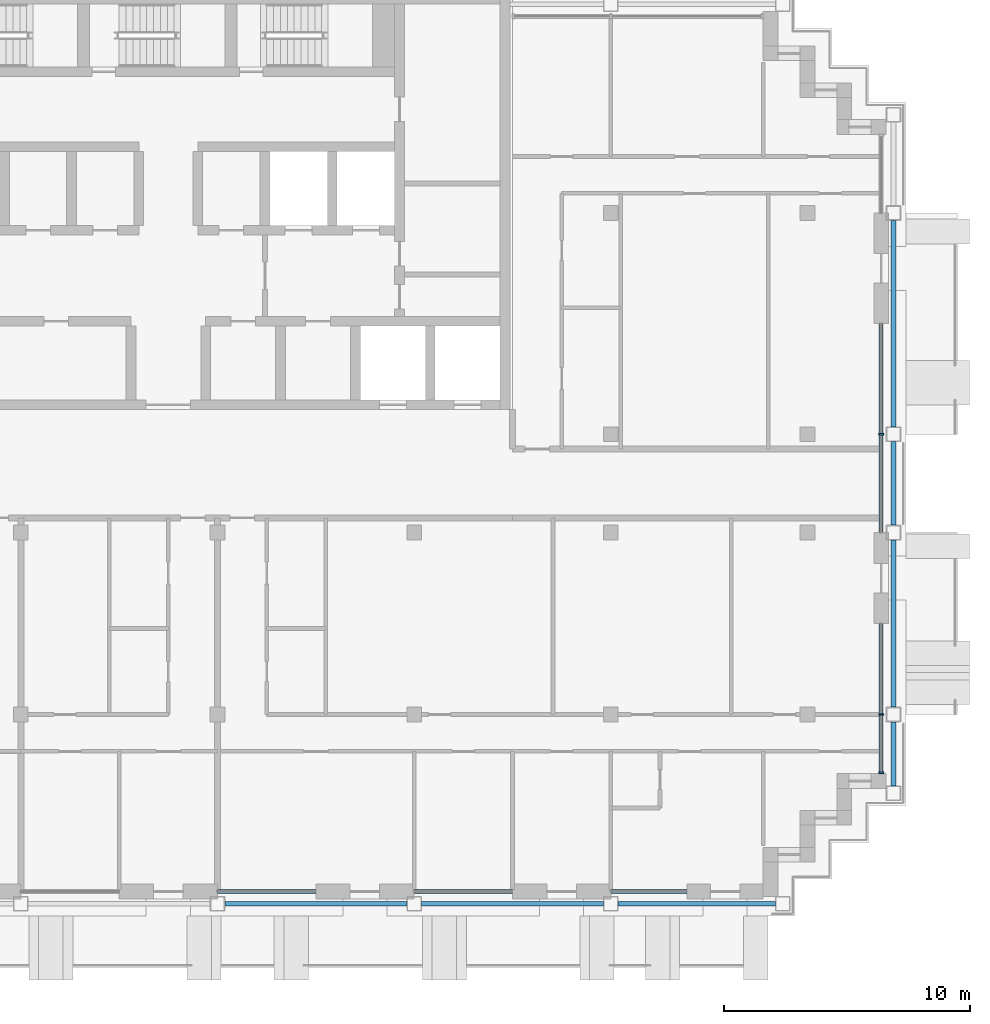
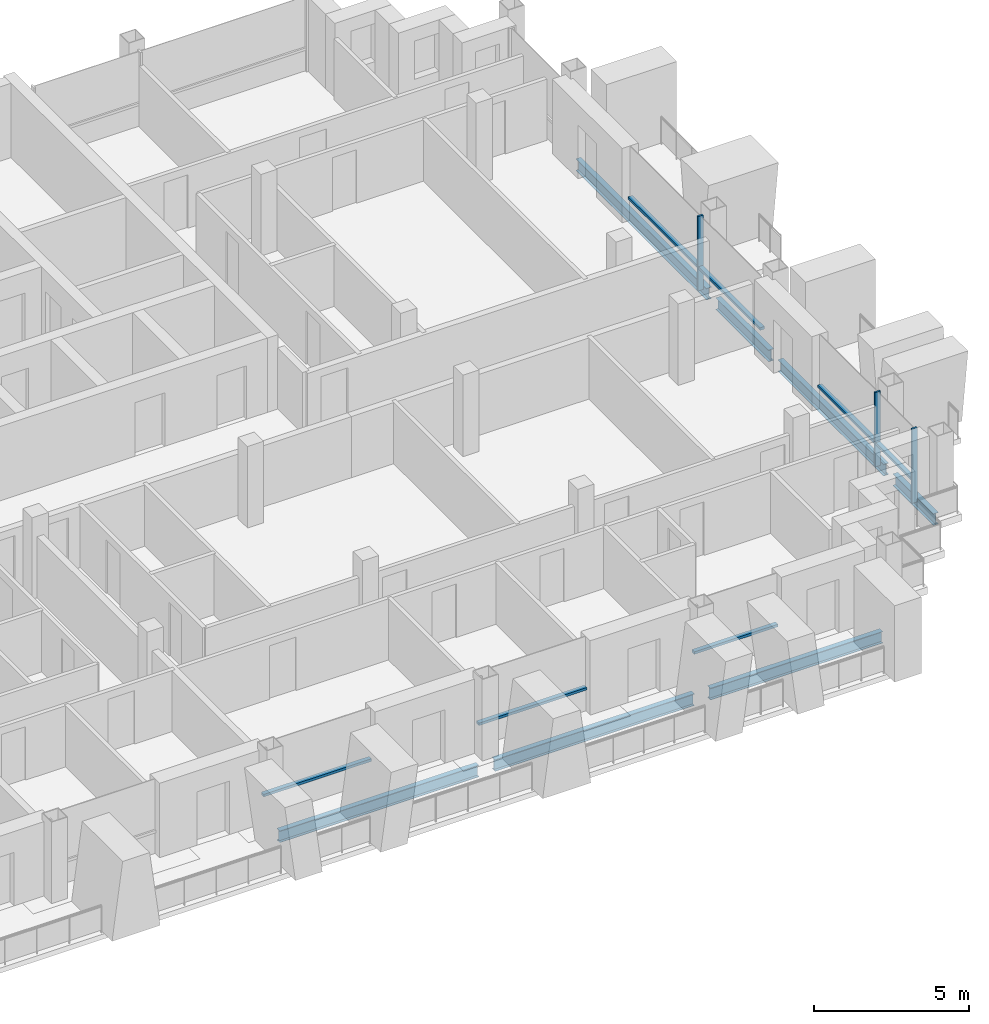
# One storey, part 3 of 16: 10 members, 7 beams, 5 elements without a shape of their own.
"""IFC4 building model written with IfcOpenShell, lengths in metres."""

from ifc_helpers import new_model, si_unit, direction, frame, origin, origin_2d, place, context, subcontext, project, spatial, rectangle, i_section, extrude, material, material_profile, profile_set, type_object, element, aggregate, save


model = new_model("IFC4")

# Units and contexts
model_context = context("Model", 3, precision=1e-05, world=origin(), true_north=direction((0.0, 1.0)))
body_context = subcontext(model_context, "Body", "Model", "MODEL_VIEW")
ifc_project = project(units=[si_unit("LENGTHUNIT", "METRE"), si_unit("AREAUNIT", "SQUARE_METRE"), si_unit("VOLUMEUNIT", "CUBIC_METRE"), si_unit("PLANEANGLEUNIT", "RADIAN"), si_unit("MASSUNIT", "GRAM", prefix="KILO")], contexts=[model_context])

# Site, building, storey
site_placement = place(None, origin())
site = spatial("IfcSite", under=ifc_project, at=site_placement, CompositionType="ELEMENT")
building_placement = place(site_placement, origin())
building = spatial("IfcBuilding", under=site, at=building_placement, Name="Vidyagriha Tower", CompositionType="ELEMENT")
storey_placement = place(building_placement, frame((0.0, 0.0, 220.39990234375)))
storey = spatial("IfcBuildingStorey", under=building, at=storey_placement, Name="L57", CompositionType="ELEMENT", Elevation=220.39990234375)

# Beams
ifc_material_1 = material(Name="Steel ASTM A992 Grade 50", Category="steel")
ifc_material_profile_1 = material_profile(ifc_material_1, i_section(OverallWidth=0.19189453125, OverallDepth=0.46240234375, WebThickness=0.010498046875, FlangeThickness=0.017578125, at=origin_2d()), Name="W18X60")
ifc_profile_set_1 = profile_set([ifc_material_profile_1], Name="Steel ASTM A992 Grade 50")
beam_type = type_object("IfcBeamType", Name="Edge beam W18X60", PredefinedType="SPANDREL", material=ifc_profile_set_1)
for number, where, z_axis, x_axis, name in (
    (1, (2.300048828125, -17.10009765625, -0.510986328125), (1.0, 0.0, 0.0), (0.0, 1.0, 0.0), "st-beam-L57-S05"),
    (2, (10.300048828125, -17.10009765625, -0.510986328125), (1.0, 0.0, 0.0), (0.0, 1.0, 0.0), "st-beam-L57-S06"),
):
    element("IfcBeam", number, at=place(storey_placement, frame(where, z_axis=z_axis, x_axis=x_axis)), inside=storey, type_object=beam_type, Name=name, PredefinedType="SPANDREL", context=body_context, shape_type="SweptSolid", body=[
        extrude(i_section(OverallWidth=0.19189453125, OverallDepth=0.46240234375, WebThickness=0.010498046875, FlangeThickness=0.017578125, at=origin_2d()), origin(), (0.0, 0.0, 1.0), 7.39990234375),
    ])
beam_1_placement = place(storey_placement, frame((18.300048828125, -17.10009765625, -0.510986328125), z_axis=(1.0, 0.0, 0.0), x_axis=(0.0, 1.0, 0.0)))
element("IfcBeam", 3, at=beam_1_placement, inside=storey, type_object=beam_type, Name="st-beam-L57-S07", PredefinedType="SPANDREL", context=body_context, shape_type="SweptSolid", body=[
    extrude(i_section(OverallWidth=0.19189453125, OverallDepth=0.46240234375, WebThickness=0.010498046875, FlangeThickness=0.017578125, at=origin_2d()), origin(), (0.0, 0.0, 1.0), 6.39990234375),
])
beam_2_placement = place(storey_placement, frame((29.5, -12.300048828125, -0.510986328125), z_axis=(0.0, 1.0, 0.0), x_axis=(-1.0, 0.0, 0.0)))
element("IfcBeam", 4, at=beam_2_placement, inside=storey, type_object=beam_type, Name="st-beam-L57-E13", PredefinedType="SPANDREL", context=body_context, shape_type="SweptSolid", body=[
    extrude(i_section(OverallWidth=0.19189453125, OverallDepth=0.46240234375, WebThickness=0.010498046875, FlangeThickness=0.017578125, at=origin_2d()), origin(), (0.0, 0.0, 1.0), 2.60009765625),
])
beam_3_placement = place(storey_placement, frame((29.5, -9.10009765625, -0.510986328125), z_axis=(0.0, 1.0, 0.0), x_axis=(-1.0, 0.0, 0.0)))
element("IfcBeam", 5, at=beam_3_placement, inside=storey, type_object=beam_type, Name="st-beam-L57-E14", PredefinedType="SPANDREL", context=body_context, shape_type="SweptSolid", body=[
    extrude(i_section(OverallWidth=0.19189453125, OverallDepth=0.46240234375, WebThickness=0.010498046875, FlangeThickness=0.017578125, at=origin_2d()), origin(), (0.0, 0.0, 1.0), 6.800048828125),
])
beam_4_placement = place(storey_placement, frame((29.5, -1.699951171875, -0.510986328125), z_axis=(0.0, 1.0, 0.0), x_axis=(-1.0, 0.0, 0.0)))
element("IfcBeam", 6, at=beam_4_placement, inside=storey, type_object=beam_type, Name="st-beam-L57-E15", PredefinedType="SPANDREL", context=body_context, shape_type="SweptSolid", body=[
    extrude(i_section(OverallWidth=0.19189453125, OverallDepth=0.46240234375, WebThickness=0.010498046875, FlangeThickness=0.017578125, at=origin_2d()), origin(), (0.0, 0.0, 1.0), 3.39990234375),
])
beam_5_placement = place(storey_placement, frame((29.5, 2.300048828125, -0.510986328125), z_axis=(0.0, 1.0, 0.0), x_axis=(-1.0, 0.0, 0.0)))
element("IfcBeam", 7, at=beam_5_placement, inside=storey, type_object=beam_type, Name="st-beam-L57-E16", PredefinedType="SPANDREL", context=body_context, shape_type="SweptSolid", body=[
    extrude(i_section(OverallWidth=0.19189453125, OverallDepth=0.46240234375, WebThickness=0.010498046875, FlangeThickness=0.017578125, at=origin_2d()), origin(), (0.0, 0.0, 1.0), 8.39990234375),
])

# Curtain wall, members
ifc_material_2 = material(Name="Aluminium and glass curtain wall", Category="aluminium")
curtain_wall_type = type_object("IfcCurtainWallType", Name="Dwelling skin unitised curtain wall", PredefinedType="USERDEFINED", material=ifc_material_2)
curtain_wall_1_placement = place(storey_placement, origin())
curtain_wall_1 = element("IfcCurtainWall", 8, at=curtain_wall_1_placement, inside=storey, type_object=curtain_wall_type, Name="CW1 dwelling skin", ObjectType="UNITISED", PredefinedType="USERDEFINED")
ifc_material_3 = material(Name="Aluminium black anodised", Category="aluminium")
ifc_material_profile_2 = material_profile(ifc_material_3, rectangle(XDim=0.199951171875, YDim=0.070068359375, at=origin_2d()), Name="Mullion 70x200 black aluminium")
ifc_profile_set_2 = profile_set([ifc_material_profile_2], Name="Aluminium black anodised")
member_type_1 = type_object("IfcMemberType", Name="Mullion 70x200 black aluminium", PredefinedType="MULLION", material=ifc_profile_set_2)
member_1_placement = place(storey_placement, frame((29.0, -11.764892578125, 0.0), z_axis=(0.0, 0.0, 1.0), x_axis=(-1.0, 0.0, 0.0)))
member_1 = element("IfcMember", 9, at=member_1_placement, type_object=member_type_1, Name="CW1 mullion 1", PredefinedType="MULLION", context=body_context, shape_type="SweptSolid", body=[
    extrude(rectangle(XDim=0.199951171875, YDim=0.070068359375, at=origin_2d()), origin(), (0.0, 0.0, 1.0), 2.920166015625),
])
member_2_placement = place(storey_placement, frame((29.0, -9.39990234375, 0.0), z_axis=(0.0, 0.0, 1.0), x_axis=(-1.0, 0.0, 0.0)))
member_2 = element("IfcMember", 10, at=member_2_placement, type_object=member_type_1, Name="CW1 mullion 2", PredefinedType="MULLION", context=body_context, shape_type="SweptSolid", body=[
    extrude(rectangle(XDim=0.199951171875, YDim=0.070068359375, at=origin_2d()), origin(), (0.0, 0.0, 1.0), 2.920166015625),
])

# Curtain wall, member
curtain_wall_2_placement = place(storey_placement, origin())
curtain_wall_2 = element("IfcCurtainWall", 11, at=curtain_wall_2_placement, inside=storey, type_object=curtain_wall_type, Name="CW1 dwelling skin", ObjectType="UNITISED", PredefinedType="USERDEFINED")
member_3_placement = place(storey_placement, frame((29.0, 2.0, 0.0), z_axis=(0.0, 0.0, 1.0), x_axis=(-1.0, 0.0, 0.0)))
member_3 = element("IfcMember", 12, at=member_3_placement, type_object=member_type_1, Name="CW1 mullion 2", PredefinedType="MULLION", context=body_context, shape_type="SweptSolid", body=[
    extrude(rectangle(XDim=0.199951171875, YDim=0.070068359375, at=origin_2d()), origin(), (0.0, 0.0, 1.0), 2.920166015625),
])

curtain_wall_3_placement = place(storey_placement, origin())
curtain_wall_3 = element("IfcCurtainWall", 13, at=curtain_wall_3_placement, inside=storey, type_object=curtain_wall_type, Name="CW1 dwelling skin", ObjectType="UNITISED", PredefinedType="USERDEFINED")
ifc_material_4 = material(Name="Aluminium black anodised", Category="aluminium")
ifc_material_profile_3 = material_profile(ifc_material_4, rectangle(XDim=0.159912109375, YDim=0.10009765625, at=origin_2d()), Name="Transom 100x160 black aluminium")
ifc_profile_set_3 = profile_set([ifc_material_profile_3], Name="Aluminium black anodised")
member_type_2 = type_object("IfcMemberType", Name="Transom 100x160 black aluminium", PredefinedType="USERDEFINED", material=ifc_profile_set_3)
member_4_placement = place(storey_placement, frame((2.0, -16.60009765625, 0.900146484375), z_axis=(1.0, 0.0, 0.0), x_axis=(0.0, 1.0, 0.0)))
member_4 = element("IfcMember", 14, at=member_4_placement, type_object=member_type_2, Name="CW1 transom 1.1", ObjectType="TRANSOM", PredefinedType="USERDEFINED", context=body_context, shape_type="SweptSolid", body=[
    extrude(rectangle(XDim=0.159912109375, YDim=0.10009765625, at=origin_2d()), origin(), (0.0, 0.0, 1.0), 4.0),
])
aggregate(curtain_wall_3, [member_4])

curtain_wall_4_placement = place(storey_placement, origin())
curtain_wall_4 = element("IfcCurtainWall", 15, at=curtain_wall_4_placement, inside=storey, type_object=curtain_wall_type, Name="CW1 dwelling skin", ObjectType="UNITISED", PredefinedType="USERDEFINED")
member_5_placement = place(storey_placement, frame((10.0, -16.60009765625, 0.900146484375), z_axis=(1.0, 0.0, 0.0), x_axis=(0.0, 1.0, 0.0)))
member_5 = element("IfcMember", 16, at=member_5_placement, type_object=member_type_2, Name="CW1 transom 1.1", ObjectType="TRANSOM", PredefinedType="USERDEFINED", context=body_context, shape_type="SweptSolid", body=[
    extrude(rectangle(XDim=0.159912109375, YDim=0.10009765625, at=origin_2d()), origin(), (0.0, 0.0, 1.0), 4.0),
])
aggregate(curtain_wall_4, [member_5])

curtain_wall_5_placement = place(storey_placement, origin())
curtain_wall_5 = element("IfcCurtainWall", 17, at=curtain_wall_5_placement, inside=storey, type_object=curtain_wall_type, Name="CW1 dwelling skin", ObjectType="UNITISED", PredefinedType="USERDEFINED")
member_6_placement = place(storey_placement, frame((18.0, -16.60009765625, 0.900146484375), z_axis=(1.0, 0.0, 0.0), x_axis=(0.0, 1.0, 0.0)))
member_6 = element("IfcMember", 18, at=member_6_placement, type_object=member_type_2, Name="CW1 transom 1.1", ObjectType="TRANSOM", PredefinedType="USERDEFINED", context=body_context, shape_type="SweptSolid", body=[
    extrude(rectangle(XDim=0.159912109375, YDim=0.10009765625, at=origin_2d()), origin(), (0.0, 0.0, 1.0), 3.10009765625),
])
aggregate(curtain_wall_5, [member_6])

# Member
member_7_placement = place(storey_placement, frame((29.0, -11.72998046875, 0.900146484375), z_axis=(0.0, 1.0, 0.0), x_axis=(-1.0, 0.0, 0.0)))
member_7 = element("IfcMember", 19, at=member_7_placement, type_object=member_type_2, Name="CW1 transom 1.1", ObjectType="TRANSOM", PredefinedType="USERDEFINED", context=body_context, shape_type="SweptSolid", body=[
    extrude(rectangle(XDim=0.159912109375, YDim=0.10009765625, at=origin_2d()), origin(), (0.0, 0.0, 1.0), 2.294921875),
])

member_8_placement = place(storey_placement, frame((29.0, -9.364990234375, 0.900146484375), z_axis=(0.0, 1.0, 0.0), x_axis=(-1.0, 0.0, 0.0)))
member_8 = element("IfcMember", 20, at=member_8_placement, type_object=member_type_2, Name="CW1 transom 2.1", ObjectType="TRANSOM", PredefinedType="USERDEFINED", context=body_context, shape_type="SweptSolid", body=[
    extrude(rectangle(XDim=0.159912109375, YDim=0.10009765625, at=origin_2d()), origin(), (0.0, 0.0, 1.0), 3.6650390625),
])

aggregate(curtain_wall_1, [member_1, member_2, member_7, member_8])

member_9_placement = place(storey_placement, frame((29.0, -2.0, 0.900146484375), z_axis=(0.0, 1.0, 0.0), x_axis=(-1.0, 0.0, 0.0)))
member_9 = element("IfcMember", 21, at=member_9_placement, type_object=member_type_2, Name="CW1 transom 1.1", ObjectType="TRANSOM", PredefinedType="USERDEFINED", context=body_context, shape_type="SweptSolid", body=[
    extrude(rectangle(XDim=0.159912109375, YDim=0.10009765625, at=origin_2d()), origin(), (0.0, 0.0, 1.0), 3.965087890625),
])

member_10_placement = place(storey_placement, frame((29.0, 2.034912109375, 0.900146484375), z_axis=(0.0, 1.0, 0.0), x_axis=(-1.0, 0.0, 0.0)))
member_10 = element("IfcMember", 22, at=member_10_placement, type_object=member_type_2, Name="CW1 transom 2.1", ObjectType="TRANSOM", PredefinedType="USERDEFINED", context=body_context, shape_type="SweptSolid", body=[
    extrude(rectangle(XDim=0.159912109375, YDim=0.10009765625, at=origin_2d()), origin(), (0.0, 0.0, 1.0), 4.465087890625),
])

aggregate(curtain_wall_2, [member_3, member_9, member_10])

save(model, "model.ifc")
